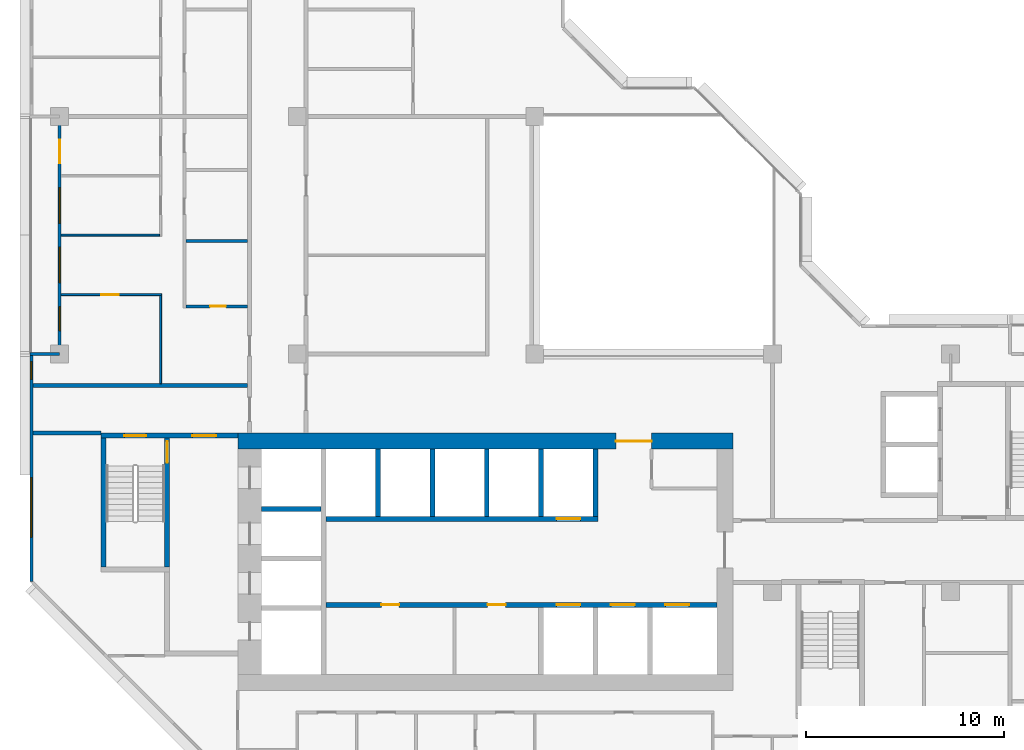
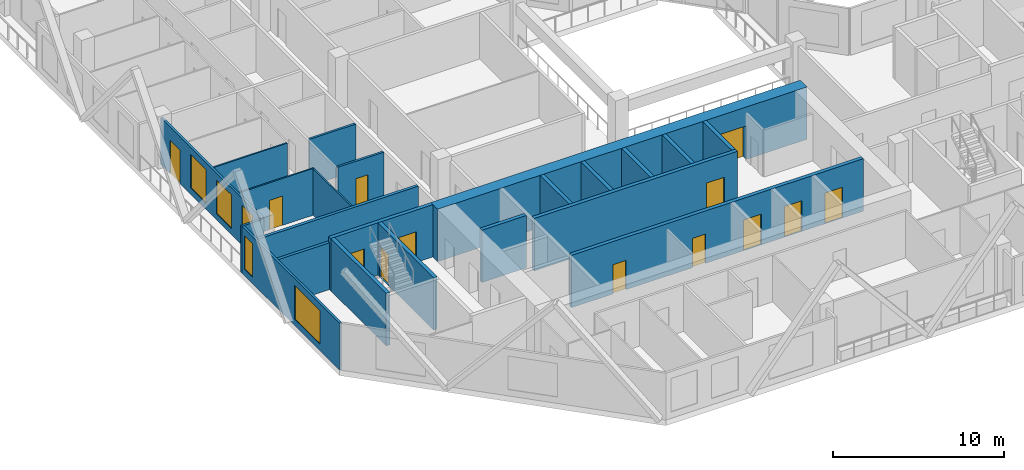
# One storey, part 5 of 15: 22 walls, 13 doors, 5 windows, 18 openings.
"""IFC4 building model written with IfcOpenShell, lengths in metres."""

from ifc_helpers import new_model, si_unit, direction, frame, frame_2d, origin, place, context, subcontext, project, spatial, rectangle, extrude, material, layer, layer_set, type_object, element, fill, save


model = new_model("IFC4")

# Units and contexts
model_context = context("Model", 3, precision=1e-05, world=origin(), true_north=direction((0.0, 1.0)))
body_context = subcontext(model_context, "Body", "Model", "MODEL_VIEW")
ifc_project = project(units=[si_unit("LENGTHUNIT", "METRE"), si_unit("AREAUNIT", "SQUARE_METRE"), si_unit("VOLUMEUNIT", "CUBIC_METRE"), si_unit("PLANEANGLEUNIT", "RADIAN"), si_unit("MASSUNIT", "GRAM", prefix="KILO")], contexts=[model_context])

# Site, building, storey
site_placement = place(None, origin())
site = spatial("IfcSite", under=ifc_project, at=site_placement, CompositionType="ELEMENT")
building_placement = place(site_placement, origin())
building = spatial("IfcBuilding", under=site, at=building_placement, Name="Chenar Terraces", CompositionType="ELEMENT")
storey_placement = place(building_placement, frame((0.0, 0.0, 172.39990234375)))
storey = spatial("IfcBuildingStorey", under=building, at=storey_placement, Name="L39", CompositionType="ELEMENT", Elevation=172.39990234375)

# Wall, openings, doors
ifc_material_1 = material(Name="Concrete C60/75", Category="concrete")
ifc_layer_1 = layer(ifc_material_1, 0.25)
ifc_layer_set_1 = layer_set([ifc_layer_1], Name="Concrete C60/75")
wall_type_1 = type_object("IfcWallType", Name="Core wall 250 Concrete C60/75", PredefinedType="SHEAR", material=ifc_layer_set_1)
wall_1_placement = place(storey_placement, frame((13.449951171875, 11.324951171875, 0.0), z_axis=(0.0, 0.0, 1.0), x_axis=(1.0, 0.0, 0.0)))
wall_1 = element("IfcWall", 1, at=wall_1_placement, inside=storey, type_object=wall_type_1, Name="Core wall SF L39", PredefinedType="SHEAR", context=body_context, shape_type="SweptSolid", body=[
    extrude(rectangle(XDim=19.75, YDim=0.25, at=frame_2d((9.875, 0.0))), origin(), (0.0, 0.0, 1.0), 3.75),
])
opening_1_placement = place(wall_1_placement, frame((11.64990234375, 0.0, 0.0)))
opening_1 = element("IfcOpeningElement", 2, at=opening_1_placement, cuts=wall_1, Name="Opening DL39-LD1", PredefinedType="OPENING", context=body_context, shape_type="SweptSolid", body=[
    extrude(rectangle(XDim=1.199951171875, YDim=2.199951171875, at=frame_2d((0.60009765625, 1.10009765625))), frame((0.0, 0.135009765625, 0.0), z_axis=(0.0, -1.0, 0.0), x_axis=(1.0, 0.0, 0.0)), (0.0, 0.0, 1.0), 0.27001953125),
])
opening_2_placement = place(wall_1_placement, frame((14.39990234375, 0.0, 0.0)))
opening_2 = element("IfcOpeningElement", 3, at=opening_2_placement, cuts=wall_1, Name="Opening DL39-LD2", PredefinedType="OPENING", context=body_context, shape_type="SweptSolid", body=[
    extrude(rectangle(XDim=1.199951171875, YDim=2.199951171875, at=frame_2d((0.60009765625, 1.10009765625))), frame((0.0, 0.135009765625, 0.0), z_axis=(0.0, -1.0, 0.0), x_axis=(1.0, 0.0, 0.0)), (0.0, 0.0, 1.0), 0.27001953125),
])
opening_3_placement = place(wall_1_placement, frame((17.14990234375, 0.0, 0.0)))
opening_3 = element("IfcOpeningElement", 4, at=opening_3_placement, cuts=wall_1, Name="Opening DL39-LD3", PredefinedType="OPENING", context=body_context, shape_type="SweptSolid", body=[
    extrude(rectangle(XDim=1.199951171875, YDim=2.199951171875, at=frame_2d((0.60009765625, 1.10009765625))), frame((0.0, 0.135009765625, 0.0), z_axis=(0.0, -1.0, 0.0), x_axis=(1.0, 0.0, 0.0)), (0.0, 0.0, 1.0), 0.27001953125),
])
opening_4_placement = place(wall_1_placement, frame((2.800048828125, 0.0, 0.0)))
opening_4 = element("IfcOpeningElement", 5, at=opening_4_placement, cuts=wall_1, Name="Opening DL39-C12", PredefinedType="OPENING", context=body_context, shape_type="SweptSolid", body=[
    extrude(rectangle(XDim=0.89990234375, YDim=2.10009765625, at=frame_2d((0.449951171875, 1.050048828125))), frame((0.0, 0.135009765625, 0.0), z_axis=(0.0, -1.0, 0.0), x_axis=(1.0, 0.0, 0.0)), (0.0, 0.0, 1.0), 0.27001953125),
])
opening_5_placement = place(wall_1_placement, frame((8.175048828125, 0.0, 0.0)))
opening_5 = element("IfcOpeningElement", 6, at=opening_5_placement, cuts=wall_1, Name="Opening DL39-C13", PredefinedType="OPENING", context=body_context, shape_type="SweptSolid", body=[
    extrude(rectangle(XDim=0.89990234375, YDim=2.10009765625, at=frame_2d((0.449951171875, 1.050048828125))), frame((0.0, 0.135009765625, 0.0), z_axis=(0.0, -1.0, 0.0), x_axis=(1.0, 0.0, 0.0)), (0.0, 0.0, 1.0), 0.27001953125),
])
ifc_material_2 = material(Name="Stainless steel", Category="steel")
door_type_1 = type_object("IfcDoorType", Name="Lift landing door 1200 x 2200 sliding", OperationType="DOUBLE_DOOR_SLIDING", PredefinedType="DOOR", material=ifc_material_2)
door_1_placement = place(opening_1_placement, origin())
door_1 = element("IfcDoor", 7, at=door_1_placement, inside=storey, type_object=door_type_1, Name="Landing door M1", OperationType="DOUBLE_DOOR_SLIDING", OverallHeight=2.199951171875, OverallWidth=1.199951171875, PredefinedType="DOOR", context=body_context, shape_type="SweptSolid", body=[
    extrude(rectangle(XDim=1.199951171875, YDim=2.199951171875, at=frame_2d((0.60009765625, 1.10009765625))), frame((0.0, 0.02490234375, 0.0), z_axis=(0.0, -1.0, 0.0), x_axis=(1.0, 0.0, 0.0)), (0.0, 0.0, 1.0), 0.050048828125),
])
fill(opening_1, door_1)
door_2_placement = place(opening_2_placement, origin())
door_2 = element("IfcDoor", 8, at=door_2_placement, inside=storey, type_object=door_type_1, Name="Landing door M2", OperationType="DOUBLE_DOOR_SLIDING", OverallHeight=2.199951171875, OverallWidth=1.199951171875, PredefinedType="DOOR", context=body_context, shape_type="SweptSolid", body=[
    extrude(rectangle(XDim=1.199951171875, YDim=2.199951171875, at=frame_2d((0.60009765625, 1.10009765625))), frame((0.0, 0.02490234375, 0.0), z_axis=(0.0, -1.0, 0.0), x_axis=(1.0, 0.0, 0.0)), (0.0, 0.0, 1.0), 0.050048828125),
])
fill(opening_2, door_2)
door_3_placement = place(opening_3_placement, origin())
door_3 = element("IfcDoor", 9, at=door_3_placement, inside=storey, type_object=door_type_1, Name="Landing door M3", OperationType="DOUBLE_DOOR_SLIDING", OverallHeight=2.199951171875, OverallWidth=1.199951171875, PredefinedType="DOOR", context=body_context, shape_type="SweptSolid", body=[
    extrude(rectangle(XDim=1.199951171875, YDim=2.199951171875, at=frame_2d((0.60009765625, 1.10009765625))), frame((0.0, 0.02490234375, 0.0), z_axis=(0.0, -1.0, 0.0), x_axis=(1.0, 0.0, 0.0)), (0.0, 0.0, 1.0), 0.050048828125),
])
fill(opening_3, door_3)
ifc_material_3 = material(Name="Steel-framed fire-resisting door leaf", Category="steel")
door_type_2 = type_object("IfcDoorType", Name="Riser fire door FD60 900 x 2100", OperationType="SINGLE_SWING_LEFT", PredefinedType="DOOR", material=ifc_material_3)
door_4_placement = place(opening_4_placement, frame((0.89990234375, 0.0, 0.0), z_axis=(0.0, 0.0, 1.0), x_axis=(-1.0, 0.0, 0.0)))
door_4 = element("IfcDoor", 10, at=door_4_placement, inside=storey, type_object=door_type_2, Name="Core room door DL39-C12", OperationType="SINGLE_SWING_LEFT", OverallHeight=2.10009765625, OverallWidth=0.89990234375, PredefinedType="DOOR", context=body_context, shape_type="SweptSolid", body=[
    extrude(rectangle(XDim=0.89990234375, YDim=2.10009765625, at=frame_2d((0.449951171875, 1.050048828125))), frame((0.0, 0.02490234375, 0.0), z_axis=(0.0, -1.0, 0.0), x_axis=(1.0, 0.0, 0.0)), (0.0, 0.0, 1.0), 0.050048828125),
])
fill(opening_4, door_4)
door_5_placement = place(opening_5_placement, frame((0.89990234375, 0.0, 0.0), z_axis=(0.0, 0.0, 1.0), x_axis=(-1.0, 0.0, 0.0)))
door_5 = element("IfcDoor", 11, at=door_5_placement, inside=storey, type_object=door_type_2, Name="Core room door DL39-C13", OperationType="SINGLE_SWING_LEFT", OverallHeight=2.10009765625, OverallWidth=0.89990234375, PredefinedType="DOOR", context=body_context, shape_type="SweptSolid", body=[
    extrude(rectangle(XDim=0.89990234375, YDim=2.10009765625, at=frame_2d((0.449951171875, 1.050048828125))), frame((0.0, 0.02490234375, 0.0), z_axis=(0.0, -1.0, 0.0), x_axis=(1.0, 0.0, 0.0)), (0.0, 0.0, 1.0), 0.050048828125),
])
fill(opening_5, door_5)

# Wall, opening, door
wall_2_placement = place(storey_placement, frame((13.449951171875, 15.675048828125, 0.0), z_axis=(0.0, 0.0, 1.0), x_axis=(1.0, 0.0, 0.0)))
wall_2 = element("IfcWall", 12, at=wall_2_placement, inside=storey, type_object=wall_type_1, Name="Core wall NF L39", PredefinedType="SHEAR", context=body_context, shape_type="SweptSolid", body=[
    extrude(rectangle(XDim=13.75, YDim=0.25, at=frame_2d((6.875, 0.0))), origin(), (0.0, 0.0, 1.0), 3.75),
])
opening_6_placement = place(wall_2_placement, frame((11.64990234375, 0.0, 0.0)))
opening_6 = element("IfcOpeningElement", 13, at=opening_6_placement, cuts=wall_2, Name="Opening DL39-LD4", PredefinedType="OPENING", context=body_context, shape_type="SweptSolid", body=[
    extrude(rectangle(XDim=1.199951171875, YDim=2.199951171875, at=frame_2d((0.60009765625, 1.10009765625))), frame((0.0, 0.135009765625, 0.0), z_axis=(0.0, -1.0, 0.0), x_axis=(1.0, 0.0, 0.0)), (0.0, 0.0, 1.0), 0.27001953125),
])
door_6_placement = place(opening_6_placement, origin())
door_6 = element("IfcDoor", 14, at=door_6_placement, inside=storey, type_object=door_type_1, Name="Landing door M4", OperationType="DOUBLE_DOOR_SLIDING", OverallHeight=2.199951171875, OverallWidth=1.199951171875, PredefinedType="DOOR", context=body_context, shape_type="SweptSolid", body=[
    extrude(rectangle(XDim=1.199951171875, YDim=2.199951171875, at=frame_2d((0.60009765625, 1.10009765625))), frame((0.0, 0.02490234375, 0.0), z_axis=(0.0, -1.0, 0.0), x_axis=(1.0, 0.0, 0.0)), (0.0, 0.0, 1.0), 0.050048828125),
])
fill(opening_6, door_6)

# Walls
wall_3_placement = place(storey_placement, frame((10.199951171875, 16.175048828125, 0.0), z_axis=(0.0, 0.0, 1.0), x_axis=(1.0, 0.0, 0.0)))
element("IfcWall", 15, at=wall_3_placement, inside=storey, type_object=wall_type_1, Name="Core wall HW2 L39", PredefinedType="SHEAR", context=body_context, shape_type="SweptSolid", body=[
    extrude(rectangle(XDim=3.0, YDim=0.25, at=frame_2d((1.5, 0.0))), origin(), (0.0, 0.0, 1.0), 3.75),
])
for number, where, z_axis, x_axis, name in (
    (16, (16.074951171875, 15.800048828125, 0.0), (0.0, 0.0, 1.0), (0.0, 1.0, 0.0), "Core wall NS0 L39"),
    (17, (18.824951171875, 15.800048828125, 0.0), (0.0, 0.0, 1.0), (0.0, 1.0, 0.0), "Core wall NS1 L39"),
    (18, (21.574951171875, 15.800048828125, 0.0), (0.0, 0.0, 1.0), (0.0, 1.0, 0.0), "Core wall NS2 L39"),
    (19, (24.324951171875, 15.800048828125, 0.0), (0.0, 0.0, 1.0), (0.0, 1.0, 0.0), "Core wall NS3 L39"),
    (20, (27.074951171875, 15.800048828125, 0.0), (0.0, 0.0, 1.0), (0.0, 1.0, 0.0), "Core wall NE L39"),
):
    element("IfcWall", number, at=place(storey_placement, frame(where, z_axis=z_axis, x_axis=x_axis)), inside=storey, type_object=wall_type_1, Name=name, PredefinedType="SHEAR", context=body_context, shape_type="SweptSolid", body=[
        extrude(rectangle(XDim=3.39990234375, YDim=0.25, at=frame_2d((1.699951171875, 0.0))), origin(), (0.0, 0.0, 1.0), 3.75),
    ])

# Wall, openings, doors
wall_4_placement = place(storey_placement, frame((2.10009765625, 19.875, 0.0), z_axis=(0.0, 0.0, 1.0), x_axis=(1.0, 0.0, 0.0)))
wall_4 = element("IfcWall", 21, at=wall_4_placement, inside=storey, type_object=wall_type_1, Name="Core wall A_N L39", PredefinedType="SHEAR", context=body_context, shape_type="SweptSolid", body=[
    extrude(rectangle(XDim=6.89990234375, YDim=0.25, at=frame_2d((3.449951171875, 0.0))), origin(), (0.0, 0.0, 1.0), 3.75),
])
opening_7_placement = place(wall_4_placement, frame((1.175048828125, 0.0, 0.0)))
opening_7 = element("IfcOpeningElement", 22, at=opening_7_placement, cuts=wall_4, Name="Opening DL39-C5", PredefinedType="OPENING", context=body_context, shape_type="SweptSolid", body=[
    extrude(rectangle(XDim=1.10009765625, YDim=2.199951171875, at=frame_2d((0.550048828125, 1.10009765625))), frame((0.0, 0.135009765625, 0.0), z_axis=(0.0, -1.0, 0.0), x_axis=(1.0, 0.0, 0.0)), (0.0, 0.0, 1.0), 0.27001953125),
])
opening_8_placement = place(wall_4_placement, frame((4.60009765625, 0.0, 0.0)))
opening_8 = element("IfcOpeningElement", 23, at=opening_8_placement, cuts=wall_4, Name="Opening DL39-C6", PredefinedType="OPENING", context=body_context, shape_type="SweptSolid", body=[
    extrude(rectangle(XDim=1.199951171875, YDim=2.199951171875, at=frame_2d((0.60009765625, 1.10009765625))), frame((0.0, 0.135009765625, 0.0), z_axis=(0.0, -1.0, 0.0), x_axis=(1.0, 0.0, 0.0)), (0.0, 0.0, 1.0), 0.27001953125),
])
ifc_material_4 = material(Name="Steel-framed fire-resisting door leaf", Category="steel")
door_type_3 = type_object("IfcDoorType", Name="Lobby fire door FD60 1200 x 2200", OperationType="SINGLE_SWING_LEFT", PredefinedType="DOOR", material=ifc_material_4)
door_7_placement = place(opening_8_placement, frame((1.199951171875, 0.0, 0.0), z_axis=(0.0, 0.0, 1.0), x_axis=(-1.0, 0.0, 0.0)))
door_7 = element("IfcDoor", 24, at=door_7_placement, inside=storey, type_object=door_type_3, Name="Core door DL39-C6", OperationType="SINGLE_SWING_LEFT", OverallHeight=2.199951171875, OverallWidth=1.199951171875, PredefinedType="DOOR", context=body_context, shape_type="SweptSolid", body=[
    extrude(rectangle(XDim=1.199951171875, YDim=2.199951171875, at=frame_2d((0.60009765625, 1.10009765625))), frame((0.0, 0.02490234375, 0.0), z_axis=(0.0, -1.0, 0.0), x_axis=(1.0, 0.0, 0.0)), (0.0, 0.0, 1.0), 0.050048828125),
])
fill(opening_8, door_7)
ifc_material_5 = material(Name="Steel-framed fire-resisting door leaf", Category="steel")
door_type_4 = type_object("IfcDoorType", Name="Stair fire door FD60 1100 x 2200", OperationType="SINGLE_SWING_LEFT", PredefinedType="DOOR", material=ifc_material_5)
door_8_placement = place(opening_7_placement, origin())
door_8 = element("IfcDoor", 25, at=door_8_placement, inside=storey, type_object=door_type_4, Name="Stair door DL39-C5", OperationType="SINGLE_SWING_LEFT", OverallHeight=2.199951171875, OverallWidth=1.10009765625, PredefinedType="DOOR", context=body_context, shape_type="SweptSolid", body=[
    extrude(rectangle(XDim=1.10009765625, YDim=2.199951171875, at=frame_2d((0.550048828125, 1.10009765625))), frame((0.0, 0.02490234375, 0.0), z_axis=(0.0, -1.0, 0.0), x_axis=(1.0, 0.0, 0.0)), (0.0, 0.0, 1.0), 0.050048828125),
])
fill(opening_7, door_8)

# Wall
wall_5_placement = place(storey_placement, frame((2.22509765625, 13.25, 0.0), z_axis=(0.0, 0.0, 1.0), x_axis=(0.0, 1.0, 0.0)))
element("IfcWall", 26, at=wall_5_placement, inside=storey, type_object=wall_type_1, Name="Core wall ST1_W L39", PredefinedType="SHEAR", context=body_context, shape_type="SweptSolid", body=[
    extrude(rectangle(XDim=6.5, YDim=0.25, at=frame_2d((3.25, 0.0))), origin(), (0.0, 0.0, 1.0), 3.75),
])

# Wall, opening, door
wall_6_placement = place(storey_placement, frame((5.425048828125, 13.25, 0.0), z_axis=(0.0, 0.0, 1.0), x_axis=(0.0, 1.0, 0.0)))
wall_6 = element("IfcWall", 27, at=wall_6_placement, inside=storey, type_object=wall_type_1, Name="Core wall ST1_E L39", PredefinedType="SHEAR", context=body_context, shape_type="SweptSolid", body=[
    extrude(rectangle(XDim=6.5, YDim=0.25, at=frame_2d((3.25, 0.0))), origin(), (0.0, 0.0, 1.0), 3.75),
])
opening_9_placement = place(wall_6_placement, frame((5.25, 0.0, 0.0)))
opening_9 = element("IfcOpeningElement", 28, at=opening_9_placement, cuts=wall_6, Name="Opening DL39-C3", PredefinedType="OPENING", context=body_context, shape_type="SweptSolid", body=[
    extrude(rectangle(XDim=1.10009765625, YDim=2.199951171875, at=frame_2d((0.550048828125, 1.10009765625))), frame((0.0, 0.135009765625, 0.0), z_axis=(0.0, -1.0, 0.0), x_axis=(1.0, 0.0, 0.0)), (0.0, 0.0, 1.0), 0.27001953125),
])
door_9_placement = place(opening_9_placement, origin())
door_9 = element("IfcDoor", 29, at=door_9_placement, inside=storey, type_object=door_type_4, Name="Stair door DL39-C3", OperationType="SINGLE_SWING_RIGHT", OverallHeight=2.199951171875, OverallWidth=1.10009765625, PredefinedType="DOOR", context=body_context, shape_type="SweptSolid", body=[
    extrude(rectangle(XDim=1.10009765625, YDim=2.199951171875, at=frame_2d((0.550048828125, 1.10009765625))), frame((0.0, 0.02490234375, 0.0), z_axis=(0.0, -1.0, 0.0), x_axis=(1.0, 0.0, 0.0)), (0.0, 0.0, 1.0), 0.050048828125),
])
fill(opening_9, door_9)

ifc_material_6 = material(Name="Concrete C60/75", Category="concrete")
ifc_layer_2 = layer(ifc_material_6, 0.800048828125)
ifc_layer_set_2 = layer_set([ifc_layer_2], Name="Concrete C60/75")
wall_type_2 = type_object("IfcWallType", Name="Core wall 800 Concrete C60/75", PredefinedType="SHEAR", material=ifc_layer_set_2)
wall_7_placement = place(storey_placement, frame((9.0, 19.60009765625, 0.0), z_axis=(0.0, 0.0, 1.0), x_axis=(1.0, 0.0, 0.0)))
wall_7 = element("IfcWall", 30, at=wall_7_placement, inside=storey, type_object=wall_type_2, Name="Core wall N L39", PredefinedType="SHEAR", context=body_context, shape_type="SweptSolid", body=[
    extrude(rectangle(XDim=25.0, YDim=0.800048828125, at=frame_2d((12.5, 0.0))), origin(), (0.0, 0.0, 1.0), 3.75),
])
opening_10_placement = place(wall_7_placement, frame((19.10009765625, 0.0, 0.0)))
opening_10 = element("IfcOpeningElement", 31, at=opening_10_placement, cuts=wall_7, Name="Opening DL39-C2", PredefinedType="OPENING", context=body_context, shape_type="SweptSolid", body=[
    extrude(rectangle(XDim=1.800048828125, YDim=2.39990234375, at=frame_2d((0.89990234375, 1.199951171875))), frame((0.0, 0.409912109375, 0.0), z_axis=(0.0, -1.0, 0.0), x_axis=(1.0, 0.0, 0.0)), (0.0, 0.0, 1.0), 0.820068359375),
])
ifc_material_7 = material(Name="Steel-framed fire-resisting door leaf", Category="steel")
door_type_5 = type_object("IfcDoorType", Name="Core entrance double fire door FD60 1800 x 2400", OperationType="DOUBLE_DOOR_SINGLE_SWING", PredefinedType="DOOR", material=ifc_material_7)
door_10_placement = place(opening_10_placement, origin())
door_10 = element("IfcDoor", 32, at=door_10_placement, inside=storey, type_object=door_type_5, Name="Core door DL39-C2", OperationType="DOUBLE_DOOR_SINGLE_SWING", OverallHeight=2.39990234375, OverallWidth=1.800048828125, PredefinedType="DOOR", context=body_context, shape_type="SweptSolid", body=[
    extrude(rectangle(XDim=1.800048828125, YDim=2.39990234375, at=frame_2d((0.89990234375, 1.199951171875))), frame((0.0, 0.02490234375, 0.0), z_axis=(0.0, -1.0, 0.0), x_axis=(1.0, 0.0, 0.0)), (0.0, 0.0, 1.0), 0.050048828125),
])
fill(opening_10, door_10)

# Walls
ifc_material_8 = material(Name="Gypsum board on steel studs with fire boards", Category="steel")
ifc_layer_3 = layer(ifc_material_8, 0.199951171875)
ifc_layer_set_3 = layer_set([ifc_layer_3], Name="Gypsum board on steel studs with fire boards")
wall_type_3 = type_object("IfcWallType", Name="Corridor wall 200", PredefinedType="PARTITIONING", material=ifc_layer_set_3)
wall_8_placement = place(storey_placement, frame((-1.35009765625, 20.0, 0.0), z_axis=(0.0, 0.0, 1.0), x_axis=(1.0, 0.0, 0.0)))
element("IfcWall", 33, at=wall_8_placement, inside=storey, type_object=wall_type_3, Name="Partition L39-002", PredefinedType="PARTITIONING", context=body_context, shape_type="SweptSolid", body=[
    extrude(rectangle(XDim=3.4501953125, YDim=0.199951171875, at=frame_2d((1.72509765625, 0.0))), origin(), (0.0, 0.0, 1.0), 3.35009765625),
])
wall_9_placement = place(storey_placement, frame((-1.35009765625, 22.39990234375, 0.0), z_axis=(0.0, 0.0, 1.0), x_axis=(1.0, 0.0, 0.0)))
element("IfcWall", 34, at=wall_9_placement, inside=storey, type_object=wall_type_3, Name="Partition L39-003", PredefinedType="PARTITIONING", context=body_context, shape_type="SweptSolid", body=[
    extrude(rectangle(XDim=10.85009765625, YDim=0.199951171875, at=frame_2d((5.425048828125, 0.0))), origin(), (0.0, 0.0, 1.0), 3.35009765625),
])

# Wall, openings, windows
ifc_material_9 = material(Name="Aluminium framed glazing", Category="aluminium")
ifc_layer_4 = layer(ifc_material_9, 0.14990234375)
ifc_layer_set_4 = layer_set([ifc_layer_4], Name="Aluminium framed glazing")
wall_type_4 = type_object("IfcWallType", Name="Glazed flush facade wall 150", PredefinedType="SOLIDWALL", material=ifc_layer_set_4)
wall_10_placement = place(storey_placement, frame((-1.425048828125, 23.925048828125, 0.0), z_axis=(0.0, 0.0, 1.0), x_axis=(0.0, -1.0, 0.0)))
wall_10 = element("IfcWall", 35, at=wall_10_placement, inside=storey, type_object=wall_type_4, Name="Glazed flush facade wall", PredefinedType="SOLIDWALL", context=body_context, shape_type="SweptSolid", body=[
    extrude(rectangle(XDim=11.425048828125, YDim=0.14990234375, at=frame_2d((5.71240234375, 0.0))), origin(), (0.0, 0.0, 1.0), 3.35009765625),
])
opening_11_placement = place(wall_10_placement, frame((0.3125, 0.0, 0.449951171875)))
opening_11 = element("IfcOpeningElement", 36, at=opening_11_placement, cuts=wall_10, Name="Opening W90x240", PredefinedType="OPENING", context=body_context, shape_type="SweptSolid", body=[
    extrude(rectangle(XDim=0.89990234375, YDim=2.39990234375, at=frame_2d((0.449951171875, 1.199951171875))), frame((0.0, 0.0849609375, 0.0), z_axis=(0.0, -1.0, 0.0), x_axis=(1.0, 0.0, 0.0)), (0.0, 0.0, 1.0), 0.169921875),
])
opening_12_placement = place(wall_10_placement, frame((6.175048828125, 0.0, 0.449951171875)))
opening_12 = element("IfcOpeningElement", 37, at=opening_12_placement, cuts=wall_10, Name="Opening W300x240", PredefinedType="OPENING", context=body_context, shape_type="SweptSolid", body=[
    extrude(rectangle(XDim=3.0, YDim=2.39990234375, at=frame_2d((1.5, 1.199951171875))), frame((0.0, 0.0849609375, 0.0), z_axis=(0.0, -1.0, 0.0), x_axis=(1.0, 0.0, 0.0)), (0.0, 0.0, 1.0), 0.169921875),
])
ifc_material_10 = material(Name="Low emissivity double glazing, aluminium frame", Category="aluminium")
window_type_1 = type_object("IfcWindowType", Name="Fixed light 3000 x 2400", PartitioningType="SINGLE_PANEL", PredefinedType="WINDOW", material=ifc_material_10)
window_1_placement = place(opening_12_placement, origin())
window_1 = element("IfcWindow", 38, at=window_1_placement, inside=storey, type_object=window_type_1, Name="Window", OverallHeight=2.39990234375, OverallWidth=3.0, PartitioningType="SINGLE_PANEL", PredefinedType="WINDOW", context=body_context, shape_type="SweptSolid", body=[
    extrude(rectangle(XDim=3.0, YDim=2.39990234375, at=frame_2d((1.5, 1.199951171875))), frame((0.0, 0.030029296875, 0.0), z_axis=(0.0, -1.0, 0.0), x_axis=(1.0, 0.0, 0.0)), (0.0, 0.0, 1.0), 0.06005859375),
])
fill(opening_12, window_1)
ifc_material_11 = material(Name="Low emissivity double glazing, aluminium frame", Category="aluminium")
window_type_2 = type_object("IfcWindowType", Name="Fixed light 900 x 2400", PartitioningType="SINGLE_PANEL", PredefinedType="WINDOW", material=ifc_material_11)
window_2_placement = place(opening_11_placement, origin())
window_2 = element("IfcWindow", 39, at=window_2_placement, inside=storey, type_object=window_type_2, Name="Window", OverallHeight=2.39990234375, OverallWidth=0.89990234375, PartitioningType="SINGLE_PANEL", PredefinedType="WINDOW", context=body_context, shape_type="SweptSolid", body=[
    extrude(rectangle(XDim=0.89990234375, YDim=2.39990234375, at=frame_2d((0.449951171875, 1.199951171875))), frame((0.0, 0.030029296875, 0.0), z_axis=(0.0, -1.0, 0.0), x_axis=(1.0, 0.0, 0.0)), (0.0, 0.0, 1.0), 0.06005859375),
])
fill(opening_11, window_2)

# Wall, openings, windows, door
ifc_material_12 = material(Name="Aluminium framed glazing", Category="aluminium")
ifc_layer_5 = layer(ifc_material_12, 0.14990234375)
ifc_layer_set_5 = layer_set([ifc_layer_5], Name="Aluminium framed glazing")
wall_type_5 = type_object("IfcWallType", Name="Glazed loggia back wall 150", PredefinedType="SOLIDWALL", material=ifc_layer_set_5)
wall_11_placement = place(storey_placement, frame((0.0, 35.925048828125, 0.0), z_axis=(0.0, 0.0, 1.0), x_axis=(0.0, -1.0, 0.0)))
wall_11 = element("IfcWall", 40, at=wall_11_placement, inside=storey, type_object=wall_type_5, Name="Glazed loggia back wall", PredefinedType="SOLIDWALL", context=body_context, shape_type="SweptSolid", body=[
    extrude(rectangle(XDim=11.85009765625, YDim=0.14990234375, at=frame_2d((5.925048828125, 0.0))), origin(), (0.0, 0.0, 1.0), 3.35009765625),
])
opening_13_placement = place(wall_11_placement, frame((1.10009765625, 0.0, 0.0)))
opening_13 = element("IfcOpeningElement", 41, at=opening_13_placement, cuts=wall_11, Name="Opening DL39-G5", PredefinedType="OPENING", context=body_context, shape_type="SweptSolid", body=[
    extrude(rectangle(XDim=1.199951171875, YDim=2.39990234375, at=frame_2d((0.60009765625, 1.199951171875))), frame((0.0, 0.0849609375, 0.0), z_axis=(0.0, -1.0, 0.0), x_axis=(1.0, 0.0, 0.0)), (0.0, 0.0, 1.0), 0.169921875),
])
opening_14_placement = place(wall_11_placement, frame((3.52490234375, 0.0, 0.449951171875)))
opening_14 = element("IfcOpeningElement", 42, at=opening_14_placement, cuts=wall_11, Name="Opening W180x240", PredefinedType="OPENING", context=body_context, shape_type="SweptSolid", body=[
    extrude(rectangle(XDim=1.800048828125, YDim=2.39990234375, at=frame_2d((0.89990234375, 1.199951171875))), frame((0.0, 0.0849609375, 0.0), z_axis=(0.0, -1.0, 0.0), x_axis=(1.0, 0.0, 0.0)), (0.0, 0.0, 1.0), 0.169921875),
])
opening_15_placement = place(wall_11_placement, frame((6.52490234375, 0.0, 0.449951171875)))
opening_15 = element("IfcOpeningElement", 43, at=opening_15_placement, cuts=wall_11, Name="Opening W180x240", PredefinedType="OPENING", context=body_context, shape_type="SweptSolid", body=[
    extrude(rectangle(XDim=1.800048828125, YDim=2.39990234375, at=frame_2d((0.89990234375, 1.199951171875))), frame((0.0, 0.0849609375, 0.0), z_axis=(0.0, -1.0, 0.0), x_axis=(1.0, 0.0, 0.0)), (0.0, 0.0, 1.0), 0.169921875),
])
opening_16_placement = place(wall_11_placement, frame((9.550048828125, 0.0, 0.449951171875)))
opening_16 = element("IfcOpeningElement", 44, at=opening_16_placement, cuts=wall_11, Name="Opening W120x240", PredefinedType="OPENING", context=body_context, shape_type="SweptSolid", body=[
    extrude(rectangle(XDim=1.199951171875, YDim=2.39990234375, at=frame_2d((0.60009765625, 1.199951171875))), frame((0.0, 0.0849609375, 0.0), z_axis=(0.0, -1.0, 0.0), x_axis=(1.0, 0.0, 0.0)), (0.0, 0.0, 1.0), 0.169921875),
])
ifc_material_13 = material(Name="Low emissivity double glazing, aluminium frame", Category="aluminium")
window_type_3 = type_object("IfcWindowType", Name="Fixed light 1200 x 2400", PartitioningType="SINGLE_PANEL", PredefinedType="WINDOW", material=ifc_material_13)
window_3_placement = place(opening_16_placement, origin())
window_3 = element("IfcWindow", 45, at=window_3_placement, inside=storey, type_object=window_type_3, Name="Window", OverallHeight=2.39990234375, OverallWidth=1.199951171875, PartitioningType="SINGLE_PANEL", PredefinedType="WINDOW", context=body_context, shape_type="SweptSolid", body=[
    extrude(rectangle(XDim=1.199951171875, YDim=2.39990234375, at=frame_2d((0.60009765625, 1.199951171875))), frame((0.0, 0.030029296875, 0.0), z_axis=(0.0, -1.0, 0.0), x_axis=(1.0, 0.0, 0.0)), (0.0, 0.0, 1.0), 0.06005859375),
])
fill(opening_16, window_3)
ifc_material_14 = material(Name="Low emissivity double glazing, aluminium frame", Category="aluminium")
window_type_4 = type_object("IfcWindowType", Name="Fixed light 1800 x 2400", PartitioningType="SINGLE_PANEL", PredefinedType="WINDOW", material=ifc_material_14)
window_4_placement = place(opening_14_placement, origin())
window_4 = element("IfcWindow", 46, at=window_4_placement, inside=storey, type_object=window_type_4, Name="Window", OverallHeight=2.39990234375, OverallWidth=1.800048828125, PartitioningType="SINGLE_PANEL", PredefinedType="WINDOW", context=body_context, shape_type="SweptSolid", body=[
    extrude(rectangle(XDim=1.800048828125, YDim=2.39990234375, at=frame_2d((0.89990234375, 1.199951171875))), frame((0.0, 0.030029296875, 0.0), z_axis=(0.0, -1.0, 0.0), x_axis=(1.0, 0.0, 0.0)), (0.0, 0.0, 1.0), 0.06005859375),
])
fill(opening_14, window_4)
window_5_placement = place(opening_15_placement, origin())
window_5 = element("IfcWindow", 47, at=window_5_placement, inside=storey, type_object=window_type_4, Name="Window", OverallHeight=2.39990234375, OverallWidth=1.800048828125, PartitioningType="SINGLE_PANEL", PredefinedType="WINDOW", context=body_context, shape_type="SweptSolid", body=[
    extrude(rectangle(XDim=1.800048828125, YDim=2.39990234375, at=frame_2d((0.89990234375, 1.199951171875))), frame((0.0, 0.030029296875, 0.0), z_axis=(0.0, -1.0, 0.0), x_axis=(1.0, 0.0, 0.0)), (0.0, 0.0, 1.0), 0.06005859375),
])
fill(opening_15, window_5)
ifc_material_15 = material(Name="Low emissivity double glazing, aluminium frame", Category="aluminium")
door_type_6 = type_object("IfcDoorType", Name="Loggia glazed double door 1200 x 2400", OperationType="DOUBLE_DOOR_SINGLE_SWING", PredefinedType="DOOR", material=ifc_material_15)
door_11_placement = place(opening_13_placement, frame((1.199951171875, 0.0, 0.0), z_axis=(0.0, 0.0, 1.0), x_axis=(-1.0, 0.0, 0.0)))
door_11 = element("IfcDoor", 48, at=door_11_placement, inside=storey, type_object=door_type_6, Name="Loggia glazed door", OperationType="DOUBLE_DOOR_SINGLE_SWING", OverallHeight=2.39990234375, OverallWidth=1.199951171875, PredefinedType="DOOR", context=body_context, shape_type="SweptSolid", body=[
    extrude(rectangle(XDim=1.199951171875, YDim=2.39990234375, at=frame_2d((0.60009765625, 1.199951171875))), frame((0.0, 0.02490234375, 0.0), z_axis=(0.0, -1.0, 0.0), x_axis=(1.0, 0.0, 0.0)), (0.0, 0.0, 1.0), 0.050048828125),
])
fill(opening_13, door_11)

# Wall, opening, door
ifc_material_16 = material(Name="Gypsum board on steel studs", Category="steel")
ifc_layer_6 = layer(ifc_material_16, 0.10009765625)
ifc_layer_set_6 = layer_set([ifc_layer_6], Name="Gypsum board on steel studs")
wall_type_6 = type_object("IfcWallType", Name="Gypsum partition 100", PredefinedType="PARTITIONING", material=ifc_layer_set_6)
wall_12_placement = place(storey_placement, frame((0.073974609375, 27.0, 0.0), z_axis=(0.0, 0.0, 1.0), x_axis=(1.0, 0.0, 0.0)))
wall_12 = element("IfcWall", 49, at=wall_12_placement, inside=storey, type_object=wall_type_6, Name="Partition L39-008", PredefinedType="PARTITIONING", context=body_context, shape_type="SweptSolid", body=[
    extrude(rectangle(XDim=5.075927734375, YDim=0.10009765625, at=frame_2d((2.5380859375, 0.0))), origin(), (0.0, 0.0, 1.0), 3.35009765625),
])
opening_17_placement = place(wall_12_placement, frame((2.02587890625, 0.0, 0.0)))
opening_17 = element("IfcOpeningElement", 50, at=opening_17_placement, cuts=wall_12, Name="Opening DL39-58", PredefinedType="OPENING", context=body_context, shape_type="SweptSolid", body=[
    extrude(rectangle(XDim=0.89990234375, YDim=2.10009765625, at=frame_2d((0.449951171875, 1.050048828125))), frame((0.0, 0.06005859375, 0.0), z_axis=(0.0, -1.0, 0.0), x_axis=(1.0, 0.0, 0.0)), (0.0, 0.0, 1.0), 0.1201171875),
])
ifc_material_17 = material(Name="Veneered timber door leaf", Category="wood")
door_type_7 = type_object("IfcDoorType", Name="Door 900 x 2100", OperationType="SINGLE_SWING_LEFT", PredefinedType="DOOR", material=ifc_material_17)
door_12_placement = place(opening_17_placement, frame((0.89990234375, 0.0, 0.0), z_axis=(0.0, 0.0, 1.0), x_axis=(-1.0, 0.0, 0.0)))
door_12 = element("IfcDoor", 51, at=door_12_placement, inside=storey, type_object=door_type_7, Name="Door DL39-58", OperationType="SINGLE_SWING_LEFT", OverallHeight=2.10009765625, OverallWidth=0.89990234375, PredefinedType="DOOR", context=body_context, shape_type="SweptSolid", body=[
    extrude(rectangle(XDim=0.89990234375, YDim=2.10009765625, at=frame_2d((0.449951171875, 1.050048828125))), frame((0.0, 0.02490234375, 0.0), z_axis=(0.0, -1.0, 0.0), x_axis=(1.0, 0.0, 0.0)), (0.0, 0.0, 1.0), 0.050048828125),
])
fill(opening_17, door_12)

# Walls
wall_13_placement = place(storey_placement, frame((0.073974609375, 30.0, 0.0), z_axis=(0.0, 0.0, 1.0), x_axis=(1.0, 0.0, 0.0)))
element("IfcWall", 52, at=wall_13_placement, inside=storey, type_object=wall_type_6, Name="Partition L39-009", PredefinedType="PARTITIONING", context=body_context, shape_type="SweptSolid", body=[
    extrude(rectangle(XDim=4.97607421875, YDim=0.10009765625, at=frame_2d((2.488037109375, 0.0))), origin(), (0.0, 0.0, 1.0), 3.35009765625),
])
wall_14_placement = place(storey_placement, frame((5.10009765625, 22.5, 0.0), z_axis=(0.0, 0.0, 1.0), x_axis=(0.0, 1.0, 0.0)))
element("IfcWall", 53, at=wall_14_placement, inside=storey, type_object=wall_type_6, Name="Partition L39-014", PredefinedType="PARTITIONING", context=body_context, shape_type="SweptSolid", body=[
    extrude(rectangle(XDim=4.449951171875, YDim=0.10009765625, at=frame_2d((2.22509765625, 0.0))), origin(), (0.0, 0.0, 1.0), 3.35009765625),
])
ifc_material_18 = material(Name="Terracotta cladding on insulated backing", Category="masonry")
ifc_layer_7 = layer(ifc_material_18, 0.14990234375)
ifc_layer_set_7 = layer_set([ifc_layer_7], Name="Terracotta cladding on insulated backing")
wall_type_7 = type_object("IfcWallType", Name="Loggia return wall 150", PredefinedType="SOLIDWALL", material=ifc_layer_set_7)
wall_15_placement = place(storey_placement, frame((-1.5, 24.0, 0.0), z_axis=(0.0, 0.0, 1.0), x_axis=(1.0, 0.0, 0.0)))
element("IfcWall", 54, at=wall_15_placement, inside=storey, type_object=wall_type_7, Name="Loggia return wall", PredefinedType="SOLIDWALL", context=body_context, shape_type="SweptSolid", body=[
    extrude(rectangle(XDim=1.5, YDim=0.14990234375, at=frame_2d((0.75, 0.0))), origin(), (0.0, 0.0, 1.0), 3.35009765625),
])

# Wall, opening, door
ifc_material_19 = material(Name="Moisture-resistant gypsum board on steel studs", Category="steel")
ifc_layer_8 = layer(ifc_material_19, 0.14990234375)
ifc_layer_set_8 = layer_set([ifc_layer_8], Name="Moisture-resistant gypsum board on steel studs")
wall_type_8 = type_object("IfcWallType", Name="Wet-room partition 150", PredefinedType="PARTITIONING", material=ifc_layer_set_8)
wall_16_placement = place(storey_placement, frame((6.375, 26.39990234375, 0.0), z_axis=(0.0, 0.0, 1.0), x_axis=(1.0, 0.0, 0.0)))
wall_16 = element("IfcWall", 55, at=wall_16_placement, inside=storey, type_object=wall_type_8, Name="Partition L39-020", PredefinedType="PARTITIONING", context=body_context, shape_type="SweptSolid", body=[
    extrude(rectangle(XDim=3.125, YDim=0.14990234375, at=frame_2d((1.5625, 0.0))), origin(), (0.0, 0.0, 1.0), 3.35009765625),
])
opening_18_placement = place(wall_16_placement, frame((1.22509765625, 0.0, 0.0)))
opening_18 = element("IfcOpeningElement", 56, at=opening_18_placement, cuts=wall_16, Name="Opening DL39-57", PredefinedType="OPENING", context=body_context, shape_type="SweptSolid", body=[
    extrude(rectangle(XDim=0.800048828125, YDim=2.10009765625, at=frame_2d((0.39990234375, 1.050048828125))), frame((0.0, 0.0849609375, 0.0), z_axis=(0.0, -1.0, 0.0), x_axis=(1.0, 0.0, 0.0)), (0.0, 0.0, 1.0), 0.169921875),
])
ifc_material_20 = material(Name="Veneered timber door leaf", Category="wood")
door_type_8 = type_object("IfcDoorType", Name="Door 800 x 2100", OperationType="SINGLE_SWING_LEFT", PredefinedType="DOOR", material=ifc_material_20)
door_13_placement = place(opening_18_placement, origin())
door_13 = element("IfcDoor", 57, at=door_13_placement, inside=storey, type_object=door_type_8, Name="Door DL39-57", OperationType="SINGLE_SWING_RIGHT", OverallHeight=2.10009765625, OverallWidth=0.800048828125, PredefinedType="DOOR", context=body_context, shape_type="SweptSolid", body=[
    extrude(rectangle(XDim=0.800048828125, YDim=2.10009765625, at=frame_2d((0.39990234375, 1.050048828125))), frame((0.0, 0.02490234375, 0.0), z_axis=(0.0, -1.0, 0.0), x_axis=(1.0, 0.0, 0.0)), (0.0, 0.0, 1.0), 0.050048828125),
])
fill(opening_18, door_13)

# Wall
wall_17_placement = place(storey_placement, frame((6.375, 29.699951171875, 0.0), z_axis=(0.0, 0.0, 1.0), x_axis=(1.0, 0.0, 0.0)))
element("IfcWall", 58, at=wall_17_placement, inside=storey, type_object=wall_type_8, Name="Partition L39-021", PredefinedType="PARTITIONING", context=body_context, shape_type="SweptSolid", body=[
    extrude(rectangle(XDim=3.125, YDim=0.14990234375, at=frame_2d((1.5625, 0.0))), origin(), (0.0, 0.0, 1.0), 3.35009765625),
])

save(model, "model.ifc")
